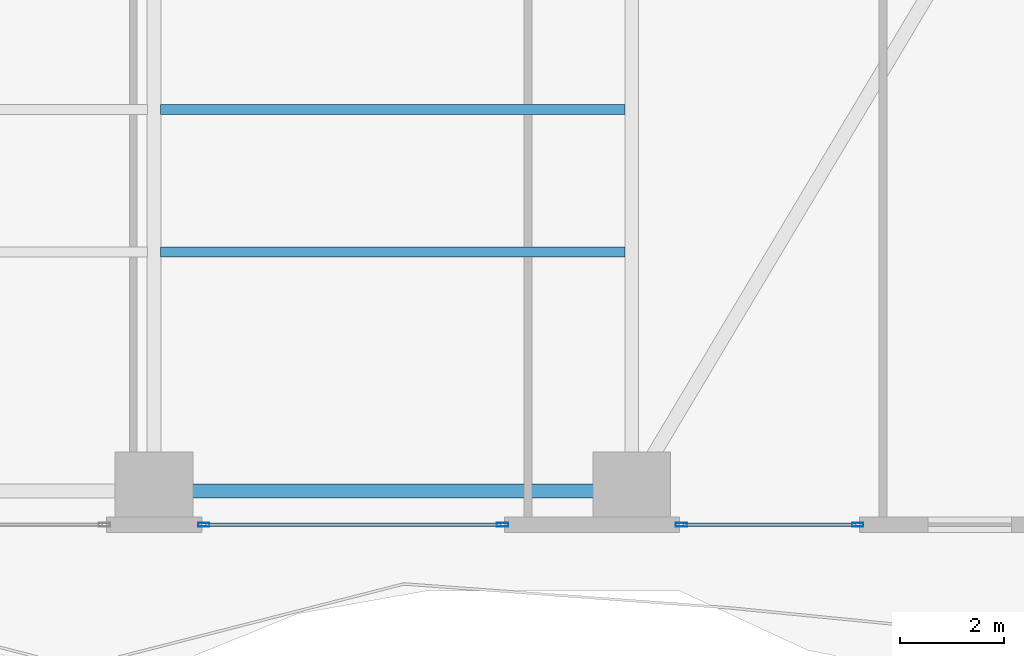
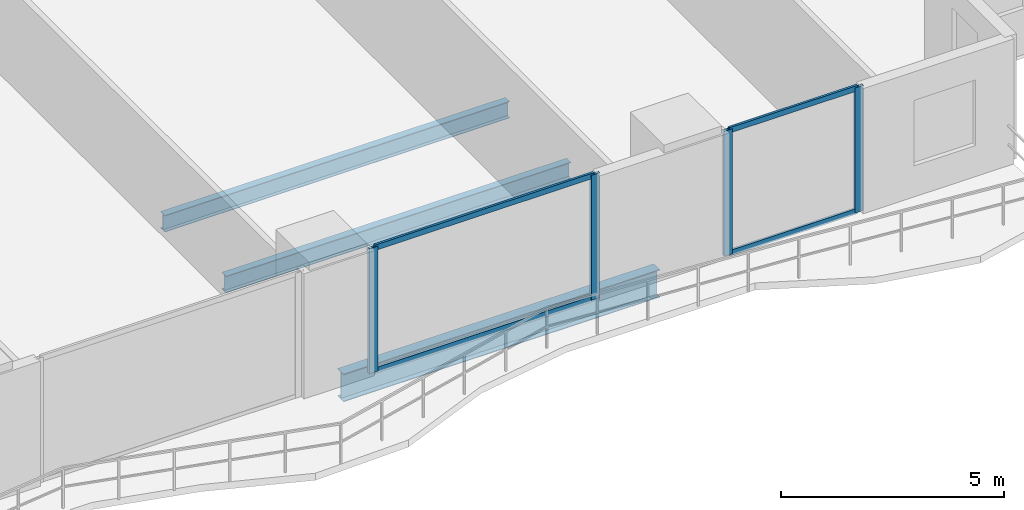
# One storey, part 8 of 28: 8 members, 3 beams, 2 elements without a shape of their own.
"""IFC4 building model written with IfcOpenShell, lengths in metres."""

from ifc_helpers import new_model, si_unit, direction, frame, origin, origin_2d, place, context, subcontext, project, spatial, hollow_rectangle, i_section, extrude, material, layer, layer_set, material_profile, profile_set, type_object, element, aggregate, save


model = new_model("IFC4")

# Units and contexts
model_context = context("Model", 3, precision=1e-05, world=origin(), true_north=direction((0.0, 1.0)))
body_context = subcontext(model_context, "Body", "Model", "MODEL_VIEW")
ifc_project = project(units=[si_unit("LENGTHUNIT", "METRE"), si_unit("AREAUNIT", "SQUARE_METRE"), si_unit("VOLUMEUNIT", "CUBIC_METRE"), si_unit("PLANEANGLEUNIT", "RADIAN"), si_unit("MASSUNIT", "GRAM", prefix="KILO")], contexts=[model_context])

# Site, building, storey
site_placement = place(None, origin())
site = spatial("IfcSite", under=ifc_project, at=site_placement, CompositionType="ELEMENT")
building_placement = place(site_placement, origin())
building = spatial("IfcBuilding", under=site, at=building_placement, Name="Zuhayl Quay Hotel", CompositionType="ELEMENT")
storey_placement = place(building_placement, frame((0.0, 0.0, 53.14990234375)))
storey = spatial("IfcBuildingStorey", under=building, at=storey_placement, Name="L12", CompositionType="ELEMENT", Elevation=53.14990234375)

# Beams
ifc_material_1 = material(Name="Steel ASTM A992 Grade 50", Category="steel")
ifc_material_profile_1 = material_profile(ifc_material_1, i_section(OverallWidth=0.26708984375, OverallDepth=0.761962890625, WebThickness=0.014404296875, FlangeThickness=0.021484375, at=origin_2d()), Name="W30X116")
ifc_profile_set_1 = profile_set([ifc_material_profile_1], Name="Steel ASTM A992 Grade 50")
beam_type_1 = type_object("IfcBeamType", Name="BM_B1_W30X116", PredefinedType="BEAM", material=ifc_profile_set_1)
beam_placement = place(storey_placement, frame((5.10009765625, -22.449951171875, -0.600830078125), z_axis=(1.0, 0.0, 0.0), x_axis=(0.0, 1.0, 0.0)))
element("IfcBeam", 1, at=beam_placement, inside=storey, type_object=beam_type_1, Name="L12 Floor Beam RG_L12_03", PredefinedType="BEAM", context=body_context, shape_type="SweptSolid", body=[
    extrude(i_section(OverallWidth=0.26708984375, OverallDepth=0.761962890625, WebThickness=0.014404296875, FlangeThickness=0.021484375, at=origin_2d()), origin(), (0.0, 0.0, 1.0), 8.199951171875),
])
ifc_material_profile_2 = material_profile(ifc_material_1, i_section(OverallWidth=0.18994140625, OverallDepth=0.45703125, WebThickness=0.009033203125, FlangeThickness=0.014404296875, at=origin_2d()), Name="W18X50")
ifc_profile_set_2 = profile_set([ifc_material_profile_2], Name="Steel ASTM A992 Grade 50")
beam_type_2 = type_object("IfcBeamType", Name="BM_J2_W18X50", PredefinedType="JOIST", material=ifc_profile_set_2)
for number, where, z_axis, x_axis, name in (
    (2, (4.7255859375, -17.85009765625, -0.448486328125), (1.0, 0.0, 0.0), (0.0, 1.0, 0.0), "L12 Floor Beam FJ_L12_3_3"),
    (3, (4.7255859375, -15.10009765625, -0.448486328125), (1.0, 0.0, 0.0), (0.0, 1.0, 0.0), "L12 Floor Beam FJ_L12_4_3"),
):
    element("IfcBeam", number, at=place(storey_placement, frame(where, z_axis=z_axis, x_axis=x_axis)), inside=storey, type_object=beam_type_2, Name=name, PredefinedType="JOIST", context=body_context, shape_type="SweptSolid", body=[
        extrude(i_section(OverallWidth=0.18994140625, OverallDepth=0.45703125, WebThickness=0.009033203125, FlangeThickness=0.014404296875, at=origin_2d()), origin(), (0.0, 0.0, 1.0), 8.948974609375),
    ])

# Curtain wall, members
ifc_material_2 = material(Name="Anodised Aluminium 6063-T6", Category="aluminium")
ifc_layer = layer(ifc_material_2, 0.18994140625, Name="Anodised Aluminium 6063-T6", Category="aluminium")
ifc_layer_set = layer_set([ifc_layer], Name="Anodised Aluminium 6063-T6")
curtain_wall_type = type_object("IfcCurtainWallType", Name="CW_SYS_Z1", PredefinedType="USERDEFINED", material=ifc_layer_set)
curtain_wall_1_placement = place(storey_placement, origin())
curtain_wall_1 = element("IfcCurtainWall", 4, at=curtain_wall_1_placement, inside=storey, type_object=curtain_wall_type, Name="L12 Curtain Wall ENV_L12_S_CW1", ObjectType="UNITISED CURTAIN WALL", PredefinedType="USERDEFINED")
ifc_material_3 = material(Name="Black-anodised aluminium 6063-T6", Category="aluminium")
ifc_material_profile_3 = material_profile(ifc_material_3, hollow_rectangle(XDim=0.074951171875, YDim=0.219970703125, WallThickness=0.00390625, at=origin_2d()), Name="ALU220X75")
ifc_profile_set_3 = profile_set([ifc_material_profile_3], Name="Black-anodised aluminium 6063-T6")
member_type_1 = type_object("IfcMemberType", Name="MB_CW_MUL_220", PredefinedType="MULLION", material=ifc_profile_set_3)
member_1_placement = place(storey_placement, frame((18.152587890625, -23.10009765625, 0.0), z_axis=(0.0, 0.0, 1.0), x_axis=(0.0, -1.0, 0.0)))
member_1 = element("IfcMember", 5, at=member_1_placement, type_object=member_type_1, Name="CW-Z1 mullion 1", PredefinedType="MULLION", context=body_context, shape_type="SweptSolid", body=[
    extrude(hollow_rectangle(XDim=0.074951171875, YDim=0.219970703125, WallThickness=0.00390625, at=origin_2d()), origin(), (0.0, 0.0, 1.0), 3.43017578125),
])
member_2_placement = place(storey_placement, frame((14.757568359375, -23.10009765625, 0.0), z_axis=(0.0, 0.0, 1.0), x_axis=(0.0, -1.0, 0.0)))
member_2 = element("IfcMember", 6, at=member_2_placement, type_object=member_type_1, Name="CW-Z1 mullion 2", PredefinedType="MULLION", context=body_context, shape_type="SweptSolid", body=[
    extrude(hollow_rectangle(XDim=0.074951171875, YDim=0.219970703125, WallThickness=0.00390625, at=origin_2d()), origin(), (0.0, 0.0, 1.0), 3.43017578125),
])

curtain_wall_2_placement = place(storey_placement, origin())
curtain_wall_2 = element("IfcCurtainWall", 7, at=curtain_wall_2_placement, inside=storey, type_object=curtain_wall_type, Name="L12 Curtain Wall ENV_L12_S_CW2", ObjectType="UNITISED CURTAIN WALL", PredefinedType="USERDEFINED")
member_3_placement = place(storey_placement, frame((11.3125, -23.10009765625, 0.0), z_axis=(0.0, 0.0, 1.0), x_axis=(0.0, -1.0, 0.0)))
member_3 = element("IfcMember", 8, at=member_3_placement, type_object=member_type_1, Name="CW-Z1 mullion 1", PredefinedType="MULLION", context=body_context, shape_type="SweptSolid", body=[
    extrude(hollow_rectangle(XDim=0.074951171875, YDim=0.219970703125, WallThickness=0.00390625, at=origin_2d()), origin(), (0.0, 0.0, 1.0), 3.43017578125),
])
member_4_placement = place(storey_placement, frame((5.5576171875, -23.10009765625, 0.0), z_axis=(0.0, 0.0, 1.0), x_axis=(0.0, -1.0, 0.0)))
member_4 = element("IfcMember", 9, at=member_4_placement, type_object=member_type_1, Name="CW-Z1 mullion 2", PredefinedType="MULLION", context=body_context, shape_type="SweptSolid", body=[
    extrude(hollow_rectangle(XDim=0.074951171875, YDim=0.219970703125, WallThickness=0.00390625, at=origin_2d()), origin(), (0.0, 0.0, 1.0), 3.43017578125),
])

# Member
ifc_material_profile_4 = material_profile(ifc_material_3, hollow_rectangle(XDim=0.06005859375, YDim=0.14990234375, WallThickness=0.00341796875, at=origin_2d()), Name="ALU150X60")
ifc_profile_set_4 = profile_set([ifc_material_profile_4], Name="Black-anodised aluminium 6063-T6")
member_type_2 = type_object("IfcMemberType", Name="MB_CW_TRN_150", PredefinedType="USERDEFINED", material=ifc_profile_set_4)
member_5_placement = place(storey_placement, frame((18.114990234375, -23.10009765625, 0.030029296875), z_axis=(-1.0, 0.0, 0.0), x_axis=(0.0, -1.0, 0.0)))
member_5 = element("IfcMember", 10, at=member_5_placement, type_object=member_type_2, Name="CW-Z1 transom 1.1", ObjectType="TRANSOM", PredefinedType="USERDEFINED", context=body_context, shape_type="SweptSolid", body=[
    extrude(hollow_rectangle(XDim=0.06005859375, YDim=0.14990234375, WallThickness=0.00341796875, at=origin_2d()), origin(), (0.0, 0.0, 1.0), 3.320068359375),
])

member_6_placement = place(storey_placement, frame((18.114990234375, -23.10009765625, 3.400146484375), z_axis=(-1.0, 0.0, 0.0), x_axis=(0.0, -1.0, 0.0)))
member_6 = element("IfcMember", 11, at=member_6_placement, type_object=member_type_2, Name="CW-Z1 transom 1.2", ObjectType="TRANSOM", PredefinedType="USERDEFINED", context=body_context, shape_type="SweptSolid", body=[
    extrude(hollow_rectangle(XDim=0.06005859375, YDim=0.14990234375, WallThickness=0.00341796875, at=origin_2d()), origin(), (0.0, 0.0, 1.0), 3.320068359375),
])

aggregate(curtain_wall_1, [member_1, member_2, member_5, member_6])

member_7_placement = place(storey_placement, frame((11.27490234375, -23.10009765625, 0.030029296875), z_axis=(-1.0, 0.0, 0.0), x_axis=(0.0, -1.0, 0.0)))
member_7 = element("IfcMember", 12, at=member_7_placement, type_object=member_type_2, Name="CW-Z1 transom 1.1", ObjectType="TRANSOM", PredefinedType="USERDEFINED", context=body_context, shape_type="SweptSolid", body=[
    extrude(hollow_rectangle(XDim=0.06005859375, YDim=0.14990234375, WallThickness=0.00341796875, at=origin_2d()), origin(), (0.0, 0.0, 1.0), 5.679931640625),
])

member_8_placement = place(storey_placement, frame((11.27490234375, -23.10009765625, 3.400146484375), z_axis=(-1.0, 0.0, 0.0), x_axis=(0.0, -1.0, 0.0)))
member_8 = element("IfcMember", 13, at=member_8_placement, type_object=member_type_2, Name="CW-Z1 transom 1.2", ObjectType="TRANSOM", PredefinedType="USERDEFINED", context=body_context, shape_type="SweptSolid", body=[
    extrude(hollow_rectangle(XDim=0.06005859375, YDim=0.14990234375, WallThickness=0.00341796875, at=origin_2d()), origin(), (0.0, 0.0, 1.0), 5.679931640625),
])

aggregate(curtain_wall_2, [member_3, member_4, member_7, member_8])

save(model, "model.ifc")
